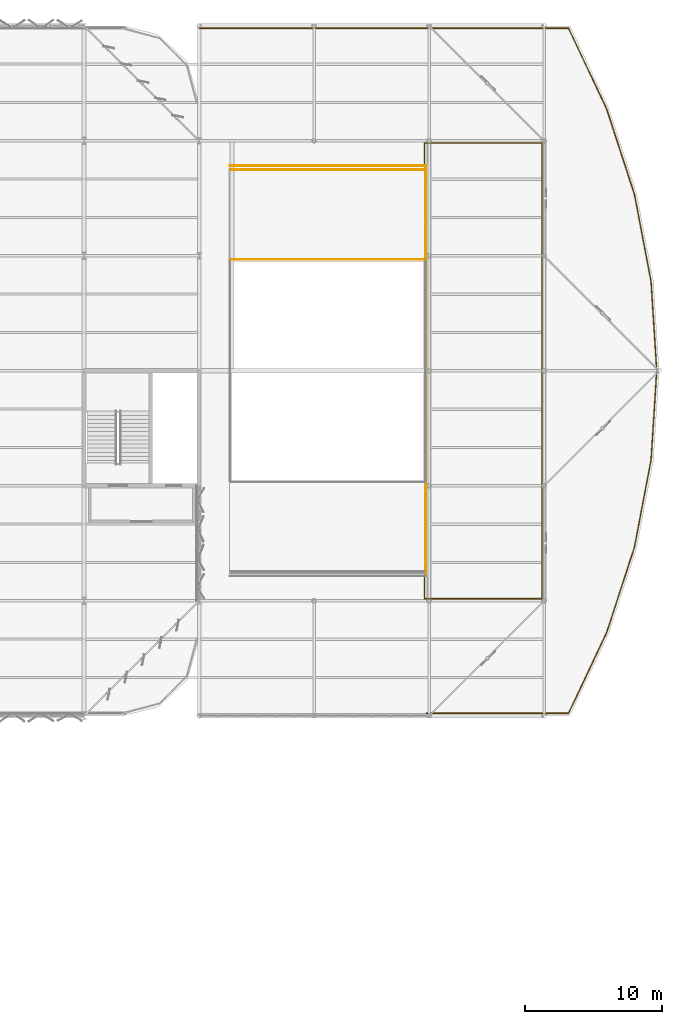
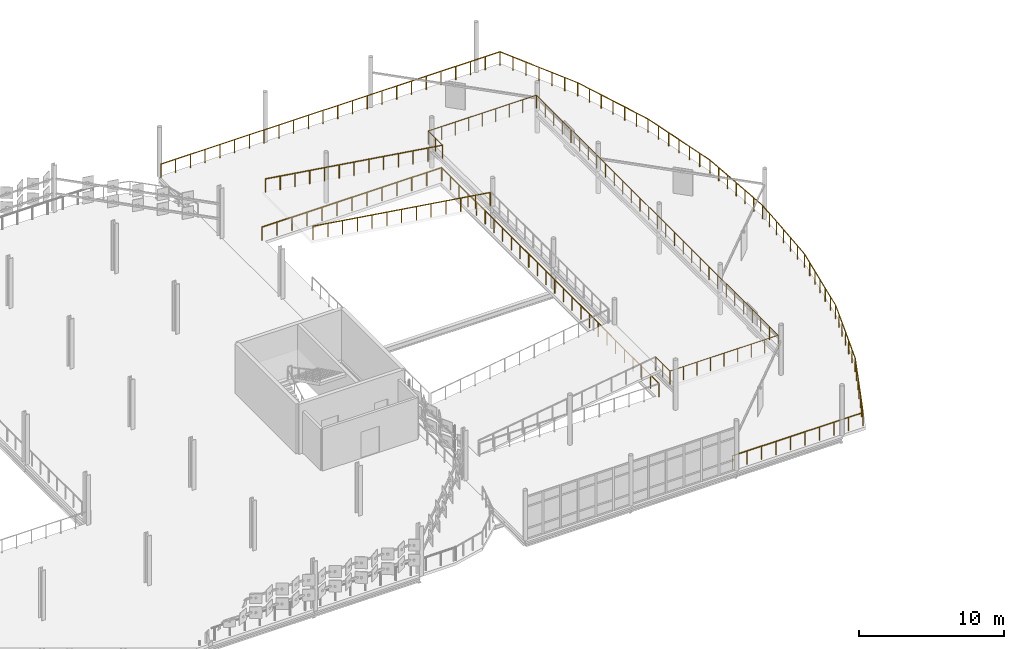
# One storey, part 68 of 69: 6 railings.
"""IFC4 building model written with IfcOpenShell, lengths in metres."""

from ifc_helpers import new_model, si_unit, direction, frame, origin, origin_2d, place, context, subcontext, project, spatial, circle, extrude, material, type_object, element, save


model = new_model("IFC4")

# Units and contexts
model_context = context("Model", 3, precision=1e-05, world=origin(), true_north=direction((0.0, 1.0)))
body_context = subcontext(model_context, "Body", "Model", "MODEL_VIEW")
ifc_project = project(units=[si_unit("LENGTHUNIT", "METRE"), si_unit("AREAUNIT", "SQUARE_METRE"), si_unit("VOLUMEUNIT", "CUBIC_METRE"), si_unit("PLANEANGLEUNIT", "RADIAN"), si_unit("MASSUNIT", "GRAM", prefix="KILO")], contexts=[model_context])

# Site, building, storey
site_placement = place(None, origin())
site = spatial("IfcSite", under=ifc_project, at=site_placement, CompositionType="ELEMENT")
building_placement = place(site_placement, origin())
building = spatial("IfcBuilding", under=site, at=building_placement, Name="Qalvenar Corner Mobility Hub", CompositionType="ELEMENT")
storey_placement = place(building_placement, frame((0.0, 0.0, 13.199951171875)))
storey = spatial("IfcBuildingStorey", under=building, at=storey_placement, Name="L03", CompositionType="ELEMENT", Elevation=13.199951171875)

# Railings
ifc_material = material(Name="Galvanised Steel Deck Edge Barrier", Category="steel")
railing_type = type_object("IfcRailingType", Name="RL-GUARD-115", PredefinedType="GUARDRAIL", material=ifc_material)
railing_1_placement = place(storey_placement, frame((159.25, 100.52001953125, 2.10009765625)))
element("IfcRailing", 1, at=railing_1_placement, inside=storey, type_object=railing_type, Name="Ramp Guardrail L03-L04-GR2", PredefinedType="GUARDRAIL", context=body_context, shape_type="SweptSolid", body=[
    extrude(circle(Radius=0.02392578125, at=origin_2d()), frame((0.0, 0.0, 1.1259765625), z_axis=(-0.98909182367, 0.0, 0.14730025237), x_axis=(0.0, -1.0, 0.0)), (0.0, 0.0, 1.0), 14.255615234375),
    extrude(circle(Radius=0.02099609375, at=origin_2d()), origin(), (0.0, 0.0, 1.0), 1.101806640625),
    extrude(circle(Radius=0.02099609375, at=origin_2d()), frame((-1.175048828125, 0.0, 0.175048828125)), (0.0, 0.0, 1.0), 1.101806640625),
    extrude(circle(Radius=0.02099609375, at=origin_2d()), frame((-2.35009765625, 0.0, 0.35009765625)), (0.0, 0.0, 1.0), 1.101806640625),
    extrude(circle(Radius=0.02099609375, at=origin_2d()), frame((-3.52490234375, 0.0, 0.52490234375)), (0.0, 0.0, 1.0), 1.101806640625),
    extrude(circle(Radius=0.02099609375, at=origin_2d()), frame((-4.699951171875, 0.0, 0.699951171875)), (0.0, 0.0, 1.0), 1.101806640625),
    extrude(circle(Radius=0.02099609375, at=origin_2d()), frame((-5.875, 0.0, 0.875)), (0.0, 0.0, 1.0), 1.101806640625),
    extrude(circle(Radius=0.02099609375, at=origin_2d()), frame((-7.050048828125, 0.0, 1.0498046875)), (0.0, 0.0, 1.0), 1.101806640625),
    extrude(circle(Radius=0.02099609375, at=origin_2d()), frame((-8.22509765625, 0.0, 1.224853515625)), (0.0, 0.0, 1.0), 1.101806640625),
    extrude(circle(Radius=0.02099609375, at=origin_2d()), frame((-9.400146484375, 0.0, 1.39990234375)), (0.0, 0.0, 1.0), 1.101806640625),
    extrude(circle(Radius=0.02099609375, at=origin_2d()), frame((-10.5751953125, 0.0, 1.574951171875)), (0.0, 0.0, 1.0), 1.101806640625),
    extrude(circle(Radius=0.02099609375, at=origin_2d()), frame((-11.75, 0.0, 1.75)), (0.0, 0.0, 1.0), 1.101806640625),
    extrude(circle(Radius=0.02099609375, at=origin_2d()), frame((-12.925048828125, 0.0, 1.9248046875)), (0.0, 0.0, 1.0), 1.101806640625),
    extrude(circle(Radius=0.02099609375, at=origin_2d()), frame((-14.10009765625, 0.0, 2.099853515625)), (0.0, 0.0, 1.0), 1.101806640625),
])
railing_2_placement = place(storey_placement, frame((159.25, 107.080078125, 2.10009765625)))
element("IfcRailing", 2, at=railing_2_placement, inside=storey, type_object=railing_type, Name="Ramp Guardrail L03-L04-GR4", PredefinedType="GUARDRAIL", context=body_context, shape_type="SweptSolid", body=[
    extrude(circle(Radius=0.02392578125, at=origin_2d()), frame((0.0, 0.0, 1.1259765625), z_axis=(-0.98909182367, 0.0, 0.14730025237), x_axis=(0.0, -1.0, 0.0)), (0.0, 0.0, 1.0), 14.255615234375),
    extrude(circle(Radius=0.02099609375, at=origin_2d()), origin(), (0.0, 0.0, 1.0), 1.101806640625),
    extrude(circle(Radius=0.02099609375, at=origin_2d()), frame((-1.175048828125, 0.0, 0.175048828125)), (0.0, 0.0, 1.0), 1.101806640625),
    extrude(circle(Radius=0.02099609375, at=origin_2d()), frame((-2.35009765625, 0.0, 0.35009765625)), (0.0, 0.0, 1.0), 1.101806640625),
    extrude(circle(Radius=0.02099609375, at=origin_2d()), frame((-3.52490234375, 0.0, 0.52490234375)), (0.0, 0.0, 1.0), 1.101806640625),
    extrude(circle(Radius=0.02099609375, at=origin_2d()), frame((-4.699951171875, 0.0, 0.699951171875)), (0.0, 0.0, 1.0), 1.101806640625),
    extrude(circle(Radius=0.02099609375, at=origin_2d()), frame((-5.875, 0.0, 0.875)), (0.0, 0.0, 1.0), 1.101806640625),
    extrude(circle(Radius=0.02099609375, at=origin_2d()), frame((-7.050048828125, 0.0, 1.0498046875)), (0.0, 0.0, 1.0), 1.101806640625),
    extrude(circle(Radius=0.02099609375, at=origin_2d()), frame((-8.22509765625, 0.0, 1.224853515625)), (0.0, 0.0, 1.0), 1.101806640625),
    extrude(circle(Radius=0.02099609375, at=origin_2d()), frame((-9.400146484375, 0.0, 1.39990234375)), (0.0, 0.0, 1.0), 1.101806640625),
    extrude(circle(Radius=0.02099609375, at=origin_2d()), frame((-10.5751953125, 0.0, 1.574951171875)), (0.0, 0.0, 1.0), 1.101806640625),
    extrude(circle(Radius=0.02099609375, at=origin_2d()), frame((-11.75, 0.0, 1.75)), (0.0, 0.0, 1.0), 1.101806640625),
    extrude(circle(Radius=0.02099609375, at=origin_2d()), frame((-12.925048828125, 0.0, 1.9248046875)), (0.0, 0.0, 1.0), 1.101806640625),
    extrude(circle(Radius=0.02099609375, at=origin_2d()), frame((-14.10009765625, 0.0, 2.099853515625)), (0.0, 0.0, 1.0), 1.101806640625),
])
railing_3_placement = place(storey_placement, frame((159.25, 77.719970703125, 2.10009765625)))
element("IfcRailing", 3, at=railing_3_placement, inside=storey, type_object=railing_type, Name="Ramp Guardrail L03-L04-GRL-OUT", PredefinedType="GUARDRAIL", context=body_context, shape_type="SweptSolid", body=[
    extrude(circle(Radius=0.02392578125, at=origin_2d()), frame((0.0, 0.0, 1.1259765625), z_axis=(0.0, -1.0, 0.0), x_axis=(1.0, 0.0, 0.0)), (0.0, 0.0, 1.0), 1.969970703125),
    extrude(circle(Radius=0.02392578125, at=origin_2d()), frame((0.0, -1.969970703125, 1.1259765625), z_axis=(1.0, 0.0, 0.0), x_axis=(0.0, 1.0, 0.0)), (0.0, 0.0, 1.0), 8.60009765625),
    extrude(circle(Radius=0.02392578125, at=origin_2d()), frame((8.60009765625, -1.969970703125, 1.1259765625), z_axis=(0.0, 1.0, 0.0), x_axis=(-1.0, 0.0, 0.0)), (0.0, 0.0, 1.0), 33.300048828125),
    extrude(circle(Radius=0.02392578125, at=origin_2d()), frame((8.60009765625, 31.330078125, 1.1259765625), z_axis=(-1.0, 0.0, 0.0), x_axis=(0.0, -1.0, 0.0)), (0.0, 0.0, 1.0), 8.60009765625),
    extrude(circle(Radius=0.02392578125, at=origin_2d()), frame((0.0, 31.330078125, 1.1259765625), z_axis=(0.0, -1.0, 0.0), x_axis=(1.0, 0.0, 0.0)), (0.0, 0.0, 1.0), 1.969970703125),
    extrude(circle(Radius=0.02099609375, at=origin_2d()), origin(), (0.0, 0.0, 1.0), 1.101806640625),
    extrude(circle(Radius=0.02099609375, at=origin_2d()), frame((0.0, -0.98486328125, 0.0)), (0.0, 0.0, 1.0), 1.101806640625),
    extrude(circle(Radius=0.02099609375, at=origin_2d()), frame((0.0, -1.969970703125, 0.0)), (0.0, 0.0, 1.0), 1.101806640625),
    extrude(circle(Radius=0.02099609375, at=origin_2d()), frame((1.074951171875, -1.969970703125, 0.0)), (0.0, 0.0, 1.0), 1.101806640625),
    extrude(circle(Radius=0.02099609375, at=origin_2d()), frame((2.14990234375, -1.969970703125, 0.0)), (0.0, 0.0, 1.0), 1.101806640625),
    extrude(circle(Radius=0.02099609375, at=origin_2d()), frame((3.22509765625, -1.969970703125, 0.0)), (0.0, 0.0, 1.0), 1.101806640625),
    extrude(circle(Radius=0.02099609375, at=origin_2d()), frame((4.300048828125, -1.969970703125, 0.0)), (0.0, 0.0, 1.0), 1.101806640625),
    extrude(circle(Radius=0.02099609375, at=origin_2d()), frame((5.375, -1.969970703125, 0.0)), (0.0, 0.0, 1.0), 1.101806640625),
    extrude(circle(Radius=0.02099609375, at=origin_2d()), frame((6.4501953125, -1.969970703125, 0.0)), (0.0, 0.0, 1.0), 1.101806640625),
    extrude(circle(Radius=0.02099609375, at=origin_2d()), frame((7.525146484375, -1.969970703125, 0.0)), (0.0, 0.0, 1.0), 1.101806640625),
    extrude(circle(Radius=0.02099609375, at=origin_2d()), frame((8.60009765625, -1.969970703125, 0.0)), (0.0, 0.0, 1.0), 1.101806640625),
    extrude(circle(Radius=0.02099609375, at=origin_2d()), frame((8.60009765625, -0.78076171875, 0.0)), (0.0, 0.0, 1.0), 1.101806640625),
    extrude(circle(Radius=0.02099609375, at=origin_2d()), frame((8.60009765625, 0.40869140625, 0.0)), (0.0, 0.0, 1.0), 1.101806640625),
    extrude(circle(Radius=0.02099609375, at=origin_2d()), frame((8.60009765625, 1.597900390625, 0.0)), (0.0, 0.0, 1.0), 1.101806640625),
    extrude(circle(Radius=0.02099609375, at=origin_2d()), frame((8.60009765625, 2.787109375, 0.0)), (0.0, 0.0, 1.0), 1.101806640625),
    extrude(circle(Radius=0.02099609375, at=origin_2d()), frame((8.60009765625, 3.9765625, 0.0)), (0.0, 0.0, 1.0), 1.101806640625),
    extrude(circle(Radius=0.02099609375, at=origin_2d()), frame((8.60009765625, 5.165771484375, 0.0)), (0.0, 0.0, 1.0), 1.101806640625),
    extrude(circle(Radius=0.02099609375, at=origin_2d()), frame((8.60009765625, 6.35498046875, 0.0)), (0.0, 0.0, 1.0), 1.101806640625),
    extrude(circle(Radius=0.02099609375, at=origin_2d()), frame((8.60009765625, 7.54443359375, 0.0)), (0.0, 0.0, 1.0), 1.101806640625),
    extrude(circle(Radius=0.02099609375, at=origin_2d()), frame((8.60009765625, 8.733642578125, 0.0)), (0.0, 0.0, 1.0), 1.101806640625),
    extrude(circle(Radius=0.02099609375, at=origin_2d()), frame((8.60009765625, 9.9228515625, 0.0)), (0.0, 0.0, 1.0), 1.101806640625),
    extrude(circle(Radius=0.02099609375, at=origin_2d()), frame((8.60009765625, 11.1123046875, 0.0)), (0.0, 0.0, 1.0), 1.101806640625),
    extrude(circle(Radius=0.02099609375, at=origin_2d()), frame((8.60009765625, 12.301513671875, 0.0)), (0.0, 0.0, 1.0), 1.101806640625),
    extrude(circle(Radius=0.02099609375, at=origin_2d()), frame((8.60009765625, 13.49072265625, 0.0)), (0.0, 0.0, 1.0), 1.101806640625),
    extrude(circle(Radius=0.02099609375, at=origin_2d()), frame((8.60009765625, 14.68017578125, 0.0)), (0.0, 0.0, 1.0), 1.101806640625),
    extrude(circle(Radius=0.02099609375, at=origin_2d()), frame((8.60009765625, 15.869384765625, 0.0)), (0.0, 0.0, 1.0), 1.101806640625),
    extrude(circle(Radius=0.02099609375, at=origin_2d()), frame((8.60009765625, 17.05859375, 0.0)), (0.0, 0.0, 1.0), 1.101806640625),
    extrude(circle(Radius=0.02099609375, at=origin_2d()), frame((8.60009765625, 18.247802734375, 0.0)), (0.0, 0.0, 1.0), 1.101806640625),
    extrude(circle(Radius=0.02099609375, at=origin_2d()), frame((8.60009765625, 19.437255859375, 0.0)), (0.0, 0.0, 1.0), 1.101806640625),
    extrude(circle(Radius=0.02099609375, at=origin_2d()), frame((8.60009765625, 20.62646484375, 0.0)), (0.0, 0.0, 1.0), 1.101806640625),
    extrude(circle(Radius=0.02099609375, at=origin_2d()), frame((8.60009765625, 21.815673828125, 0.0)), (0.0, 0.0, 1.0), 1.101806640625),
    extrude(circle(Radius=0.02099609375, at=origin_2d()), frame((8.60009765625, 23.005126953125, 0.0)), (0.0, 0.0, 1.0), 1.101806640625),
    extrude(circle(Radius=0.02099609375, at=origin_2d()), frame((8.60009765625, 24.1943359375, 0.0)), (0.0, 0.0, 1.0), 1.101806640625),
    extrude(circle(Radius=0.02099609375, at=origin_2d()), frame((8.60009765625, 25.383544921875, 0.0)), (0.0, 0.0, 1.0), 1.101806640625),
    extrude(circle(Radius=0.02099609375, at=origin_2d()), frame((8.60009765625, 26.572998046875, 0.0)), (0.0, 0.0, 1.0), 1.101806640625),
    extrude(circle(Radius=0.02099609375, at=origin_2d()), frame((8.60009765625, 27.76220703125, 0.0)), (0.0, 0.0, 1.0), 1.101806640625),
    extrude(circle(Radius=0.02099609375, at=origin_2d()), frame((8.60009765625, 28.951416015625, 0.0)), (0.0, 0.0, 1.0), 1.101806640625),
    extrude(circle(Radius=0.02099609375, at=origin_2d()), frame((8.60009765625, 30.140869140625, 0.0)), (0.0, 0.0, 1.0), 1.101806640625),
    extrude(circle(Radius=0.02099609375, at=origin_2d()), frame((8.60009765625, 31.330078125, 0.0)), (0.0, 0.0, 1.0), 1.101806640625),
    extrude(circle(Radius=0.02099609375, at=origin_2d()), frame((7.525146484375, 31.330078125, 0.0)), (0.0, 0.0, 1.0), 1.101806640625),
    extrude(circle(Radius=0.02099609375, at=origin_2d()), frame((6.4501953125, 31.330078125, 0.0)), (0.0, 0.0, 1.0), 1.101806640625),
    extrude(circle(Radius=0.02099609375, at=origin_2d()), frame((5.375, 31.330078125, 0.0)), (0.0, 0.0, 1.0), 1.101806640625),
    extrude(circle(Radius=0.02099609375, at=origin_2d()), frame((4.300048828125, 31.330078125, 0.0)), (0.0, 0.0, 1.0), 1.101806640625),
    extrude(circle(Radius=0.02099609375, at=origin_2d()), frame((3.22509765625, 31.330078125, 0.0)), (0.0, 0.0, 1.0), 1.101806640625),
    extrude(circle(Radius=0.02099609375, at=origin_2d()), frame((2.14990234375, 31.330078125, 0.0)), (0.0, 0.0, 1.0), 1.101806640625),
    extrude(circle(Radius=0.02099609375, at=origin_2d()), frame((1.074951171875, 31.330078125, 0.0)), (0.0, 0.0, 1.0), 1.101806640625),
    extrude(circle(Radius=0.02099609375, at=origin_2d()), frame((0.0, 31.330078125, 0.0)), (0.0, 0.0, 1.0), 1.101806640625),
    extrude(circle(Radius=0.02099609375, at=origin_2d()), frame((0.0, 30.34521484375, 0.0)), (0.0, 0.0, 1.0), 1.101806640625),
    extrude(circle(Radius=0.02099609375, at=origin_2d()), frame((0.0, 29.360107421875, 0.0)), (0.0, 0.0, 1.0), 1.101806640625),
])
railing_4_placement = place(storey_placement, frame((159.39990234375, 67.3798828125, 0.0)))
element("IfcRailing", 4, at=railing_4_placement, inside=storey, type_object=railing_type, Name="Rotunda Drum Perimeter Barrier L03", PredefinedType="GUARDRAIL", context=body_context, shape_type="SweptSolid", body=[
    extrude(circle(Radius=0.02392578125, at=origin_2d()), frame((0.0, 0.0, 1.1259765625), z_axis=(1.0, 0.0, 0.0), x_axis=(0.0, 1.0, 0.0)), (0.0, 0.0, 1.0), 10.379638671875),
    extrude(circle(Radius=0.02392578125, at=origin_2d()), frame((10.379638671875, 0.0, 1.1259765625), z_axis=(0.426753831434, 0.904367827466, 0.0), x_axis=(-0.904367827466, 0.426753831434, 0.0)), (0.0, 0.0, 1.0), 6.5234375),
    extrude(circle(Radius=0.02392578125, at=origin_2d()), frame((13.16357421875, 5.899658203125, 1.1259765625), z_axis=(0.309730839995, 0.950824277538, 0.0), x_axis=(-0.950824277538, 0.309730839995, 0.0)), (0.0, 0.0, 1.0), 6.5234375),
    extrude(circle(Radius=0.02392578125, at=origin_2d()), frame((15.18408203125, 12.102294921875, 1.1259765625), z_axis=(0.187839523494, 0.982199731935, 0.0), x_axis=(-0.982199731935, 0.187839523494, 0.0)), (0.0, 0.0, 1.0), 6.5234375),
    extrude(circle(Radius=0.02392578125, at=origin_2d()), frame((16.409423828125, 18.509521484375, 1.1259765625), z_axis=(0.062949118857, 0.998016737553, 0.0), x_axis=(-0.998016737553, 0.062949118857, 0.0)), (0.0, 0.0, 1.0), 6.5234375),
    extrude(circle(Radius=0.02392578125, at=origin_2d()), frame((16.820068359375, 25.02001953125, 1.1259765625), z_axis=(-0.062949118857, 0.998016737553, 0.0), x_axis=(-0.998016737553, -0.062949118857, 0.0)), (0.0, 0.0, 1.0), 6.5234375),
    extrude(circle(Radius=0.02392578125, at=origin_2d()), frame((16.409423828125, 31.530517578125, 1.1259765625), z_axis=(-0.187832618856, 0.982201052379, 0.0), x_axis=(-0.982201052379, -0.187832618856, 0.0)), (0.0, 0.0, 1.0), 6.523681640625),
    extrude(circle(Radius=0.02392578125, at=origin_2d()), frame((15.18408203125, 37.93798828125, 1.1259765625), z_axis=(-0.309730839995, 0.950824277538, 0.0), x_axis=(-0.950824277538, -0.309730839995, 0.0)), (0.0, 0.0, 1.0), 6.5234375),
    extrude(circle(Radius=0.02392578125, at=origin_2d()), frame((13.16357421875, 44.140625, 1.1259765625), z_axis=(-0.426768275647, 0.904361011378, 0.0), x_axis=(-0.904361011378, -0.426768275647, 0.0)), (0.0, 0.0, 1.0), 6.523193359375),
    extrude(circle(Radius=0.02392578125, at=origin_2d()), frame((10.379638671875, 50.0400390625, 1.1259765625), z_axis=(-1.0, 0.0, 0.0), x_axis=(0.0, -1.0, 0.0)), (0.0, 0.0, 1.0), 26.9794921875),
    extrude(circle(Radius=0.02099609375, at=origin_2d()), origin(), (0.0, 0.0, 1.0), 1.101806640625),
    extrude(circle(Radius=0.02099609375, at=origin_2d()), frame((1.1533203125, 0.0, 0.0)), (0.0, 0.0, 1.0), 1.101806640625),
    extrude(circle(Radius=0.02099609375, at=origin_2d()), frame((2.306640625, 0.0, 0.0)), (0.0, 0.0, 1.0), 1.101806640625),
    extrude(circle(Radius=0.02099609375, at=origin_2d()), frame((3.4599609375, 0.0, 0.0)), (0.0, 0.0, 1.0), 1.101806640625),
    extrude(circle(Radius=0.02099609375, at=origin_2d()), frame((4.61328125, 0.0, 0.0)), (0.0, 0.0, 1.0), 1.101806640625),
    extrude(circle(Radius=0.02099609375, at=origin_2d()), frame((5.766357421875, 0.0, 0.0)), (0.0, 0.0, 1.0), 1.101806640625),
    extrude(circle(Radius=0.02099609375, at=origin_2d()), frame((6.919677734375, 0.0, 0.0)), (0.0, 0.0, 1.0), 1.101806640625),
    extrude(circle(Radius=0.02099609375, at=origin_2d()), frame((8.072998046875, 0.0, 0.0)), (0.0, 0.0, 1.0), 1.101806640625),
    extrude(circle(Radius=0.02099609375, at=origin_2d()), frame((9.226318359375, 0.0, 0.0)), (0.0, 0.0, 1.0), 1.101806640625),
    extrude(circle(Radius=0.02099609375, at=origin_2d()), frame((10.379638671875, 0.0, 0.0)), (0.0, 0.0, 1.0), 1.101806640625),
    extrude(circle(Radius=0.02099609375, at=origin_2d()), frame((10.84375, 0.9833984375, 0.0)), (0.0, 0.0, 1.0), 1.101806640625),
    extrude(circle(Radius=0.02099609375, at=origin_2d()), frame((11.3076171875, 1.966552734375, 0.0)), (0.0, 0.0, 1.0), 1.101806640625),
    extrude(circle(Radius=0.02099609375, at=origin_2d()), frame((11.771484375, 2.94970703125, 0.0)), (0.0, 0.0, 1.0), 1.101806640625),
    extrude(circle(Radius=0.02099609375, at=origin_2d()), frame((12.235595703125, 3.93310546875, 0.0)), (0.0, 0.0, 1.0), 1.101806640625),
    extrude(circle(Radius=0.02099609375, at=origin_2d()), frame((12.69970703125, 4.91650390625, 0.0)), (0.0, 0.0, 1.0), 1.101806640625),
    extrude(circle(Radius=0.02099609375, at=origin_2d()), frame((13.16357421875, 5.899658203125, 0.0)), (0.0, 0.0, 1.0), 1.101806640625),
    extrude(circle(Radius=0.02099609375, at=origin_2d()), frame((13.500244140625, 6.933349609375, 0.0)), (0.0, 0.0, 1.0), 1.101806640625),
    extrude(circle(Radius=0.02099609375, at=origin_2d()), frame((13.837158203125, 7.96728515625, 0.0)), (0.0, 0.0, 1.0), 1.101806640625),
    extrude(circle(Radius=0.02099609375, at=origin_2d()), frame((14.173828125, 9.0009765625, 0.0)), (0.0, 0.0, 1.0), 1.101806640625),
    extrude(circle(Radius=0.02099609375, at=origin_2d()), frame((14.510498046875, 10.03466796875, 0.0)), (0.0, 0.0, 1.0), 1.101806640625),
    extrude(circle(Radius=0.02099609375, at=origin_2d()), frame((14.847412109375, 11.068603515625, 0.0)), (0.0, 0.0, 1.0), 1.101806640625),
    extrude(circle(Radius=0.02099609375, at=origin_2d()), frame((15.18408203125, 12.102294921875, 0.0)), (0.0, 0.0, 1.0), 1.101806640625),
    extrude(circle(Radius=0.02099609375, at=origin_2d()), frame((15.38818359375, 13.170166015625, 0.0)), (0.0, 0.0, 1.0), 1.101806640625),
    extrude(circle(Radius=0.02099609375, at=origin_2d()), frame((15.592529296875, 14.238037109375, 0.0)), (0.0, 0.0, 1.0), 1.101806640625),
    extrude(circle(Radius=0.02099609375, at=origin_2d()), frame((15.796875, 15.305908203125, 0.0)), (0.0, 0.0, 1.0), 1.101806640625),
    extrude(circle(Radius=0.02099609375, at=origin_2d()), frame((16.0009765625, 16.373779296875, 0.0)), (0.0, 0.0, 1.0), 1.101806640625),
    extrude(circle(Radius=0.02099609375, at=origin_2d()), frame((16.205078125, 17.441650390625, 0.0)), (0.0, 0.0, 1.0), 1.101806640625),
    extrude(circle(Radius=0.02099609375, at=origin_2d()), frame((16.409423828125, 18.509521484375, 0.0)), (0.0, 0.0, 1.0), 1.101806640625),
    extrude(circle(Radius=0.02099609375, at=origin_2d()), frame((16.477783203125, 19.5947265625, 0.0)), (0.0, 0.0, 1.0), 1.101806640625),
    extrude(circle(Radius=0.02099609375, at=origin_2d()), frame((16.54638671875, 20.6796875, 0.0)), (0.0, 0.0, 1.0), 1.101806640625),
    extrude(circle(Radius=0.02099609375, at=origin_2d()), frame((16.61474609375, 21.7646484375, 0.0)), (0.0, 0.0, 1.0), 1.101806640625),
    extrude(circle(Radius=0.02099609375, at=origin_2d()), frame((16.68310546875, 22.849853515625, 0.0)), (0.0, 0.0, 1.0), 1.101806640625),
    extrude(circle(Radius=0.02099609375, at=origin_2d()), frame((16.751708984375, 23.93505859375, 0.0)), (0.0, 0.0, 1.0), 1.101806640625),
    extrude(circle(Radius=0.02099609375, at=origin_2d()), frame((16.820068359375, 25.02001953125, 0.0)), (0.0, 0.0, 1.0), 1.101806640625),
    extrude(circle(Radius=0.02099609375, at=origin_2d()), frame((16.751708984375, 26.10498046875, 0.0)), (0.0, 0.0, 1.0), 1.101806640625),
    extrude(circle(Radius=0.02099609375, at=origin_2d()), frame((16.68310546875, 27.190185546875, 0.0)), (0.0, 0.0, 1.0), 1.101806640625),
    extrude(circle(Radius=0.02099609375, at=origin_2d()), frame((16.61474609375, 28.275390625, 0.0)), (0.0, 0.0, 1.0), 1.101806640625),
    extrude(circle(Radius=0.02099609375, at=origin_2d()), frame((16.54638671875, 29.3603515625, 0.0)), (0.0, 0.0, 1.0), 1.101806640625),
    extrude(circle(Radius=0.02099609375, at=origin_2d()), frame((16.477783203125, 30.4453125, 0.0)), (0.0, 0.0, 1.0), 1.101806640625),
    extrude(circle(Radius=0.02099609375, at=origin_2d()), frame((16.409423828125, 31.530517578125, 0.0)), (0.0, 0.0, 1.0), 1.101806640625),
    extrude(circle(Radius=0.02099609375, at=origin_2d()), frame((16.205078125, 32.598388671875, 0.0)), (0.0, 0.0, 1.0), 1.101806640625),
    extrude(circle(Radius=0.02099609375, at=origin_2d()), frame((16.0009765625, 33.666259765625, 0.0)), (0.0, 0.0, 1.0), 1.101806640625),
    extrude(circle(Radius=0.02099609375, at=origin_2d()), frame((15.796875, 34.734375, 0.0)), (0.0, 0.0, 1.0), 1.101806640625),
    extrude(circle(Radius=0.02099609375, at=origin_2d()), frame((15.592529296875, 35.80224609375, 0.0)), (0.0, 0.0, 1.0), 1.101806640625),
    extrude(circle(Radius=0.02099609375, at=origin_2d()), frame((15.38818359375, 36.8701171875, 0.0)), (0.0, 0.0, 1.0), 1.101806640625),
    extrude(circle(Radius=0.02099609375, at=origin_2d()), frame((15.18408203125, 37.93798828125, 0.0)), (0.0, 0.0, 1.0), 1.101806640625),
    extrude(circle(Radius=0.02099609375, at=origin_2d()), frame((14.847412109375, 38.9716796875, 0.0)), (0.0, 0.0, 1.0), 1.101806640625),
    extrude(circle(Radius=0.02099609375, at=origin_2d()), frame((14.510498046875, 40.005615234375, 0.0)), (0.0, 0.0, 1.0), 1.101806640625),
    extrude(circle(Radius=0.02099609375, at=origin_2d()), frame((14.173828125, 41.039306640625, 0.0)), (0.0, 0.0, 1.0), 1.101806640625),
    extrude(circle(Radius=0.02099609375, at=origin_2d()), frame((13.837158203125, 42.072998046875, 0.0)), (0.0, 0.0, 1.0), 1.101806640625),
    extrude(circle(Radius=0.02099609375, at=origin_2d()), frame((13.500244140625, 43.10693359375, 0.0)), (0.0, 0.0, 1.0), 1.101806640625),
    extrude(circle(Radius=0.02099609375, at=origin_2d()), frame((13.16357421875, 44.140625, 0.0)), (0.0, 0.0, 1.0), 1.101806640625),
    extrude(circle(Radius=0.02099609375, at=origin_2d()), frame((12.69970703125, 45.123779296875, 0.0)), (0.0, 0.0, 1.0), 1.101806640625),
    extrude(circle(Radius=0.02099609375, at=origin_2d()), frame((12.235595703125, 46.107177734375, 0.0)), (0.0, 0.0, 1.0), 1.101806640625),
    extrude(circle(Radius=0.02099609375, at=origin_2d()), frame((11.771484375, 47.09033203125, 0.0)), (0.0, 0.0, 1.0), 1.101806640625),
    extrude(circle(Radius=0.02099609375, at=origin_2d()), frame((11.3076171875, 48.073486328125, 0.0)), (0.0, 0.0, 1.0), 1.101806640625),
    extrude(circle(Radius=0.02099609375, at=origin_2d()), frame((10.84375, 49.056884765625, 0.0)), (0.0, 0.0, 1.0), 1.101806640625),
    extrude(circle(Radius=0.02099609375, at=origin_2d()), frame((10.379638671875, 50.0400390625, 0.0)), (0.0, 0.0, 1.0), 1.101806640625),
    extrude(circle(Radius=0.02099609375, at=origin_2d()), frame((9.20654296875, 50.0400390625, 0.0)), (0.0, 0.0, 1.0), 1.101806640625),
    extrude(circle(Radius=0.02099609375, at=origin_2d()), frame((8.03369140625, 50.0400390625, 0.0)), (0.0, 0.0, 1.0), 1.101806640625),
    extrude(circle(Radius=0.02099609375, at=origin_2d()), frame((6.860595703125, 50.0400390625, 0.0)), (0.0, 0.0, 1.0), 1.101806640625),
    extrude(circle(Radius=0.02099609375, at=origin_2d()), frame((5.6875, 50.0400390625, 0.0)), (0.0, 0.0, 1.0), 1.101806640625),
    extrude(circle(Radius=0.02099609375, at=origin_2d()), frame((4.5146484375, 50.0400390625, 0.0)), (0.0, 0.0, 1.0), 1.101806640625),
    extrude(circle(Radius=0.02099609375, at=origin_2d()), frame((3.341552734375, 50.0400390625, 0.0)), (0.0, 0.0, 1.0), 1.101806640625),
    extrude(circle(Radius=0.02099609375, at=origin_2d()), frame((2.16845703125, 50.0400390625, 0.0)), (0.0, 0.0, 1.0), 1.101806640625),
    extrude(circle(Radius=0.02099609375, at=origin_2d()), frame((0.995361328125, 50.0400390625, 0.0)), (0.0, 0.0, 1.0), 1.101806640625),
    extrude(circle(Radius=0.02099609375, at=origin_2d()), frame((-0.177490234375, 50.0400390625, 0.0)), (0.0, 0.0, 1.0), 1.101806640625),
    extrude(circle(Radius=0.02099609375, at=origin_2d()), frame((-1.3505859375, 50.0400390625, 0.0)), (0.0, 0.0, 1.0), 1.101806640625),
    extrude(circle(Radius=0.02099609375, at=origin_2d()), frame((-2.523681640625, 50.0400390625, 0.0)), (0.0, 0.0, 1.0), 1.101806640625),
    extrude(circle(Radius=0.02099609375, at=origin_2d()), frame((-3.696533203125, 50.0400390625, 0.0)), (0.0, 0.0, 1.0), 1.101806640625),
    extrude(circle(Radius=0.02099609375, at=origin_2d()), frame((-4.86962890625, 50.0400390625, 0.0)), (0.0, 0.0, 1.0), 1.101806640625),
    extrude(circle(Radius=0.02099609375, at=origin_2d()), frame((-6.042724609375, 50.0400390625, 0.0)), (0.0, 0.0, 1.0), 1.101806640625),
    extrude(circle(Radius=0.02099609375, at=origin_2d()), frame((-7.215576171875, 50.0400390625, 0.0)), (0.0, 0.0, 1.0), 1.101806640625),
    extrude(circle(Radius=0.02099609375, at=origin_2d()), frame((-8.388671875, 50.0400390625, 0.0)), (0.0, 0.0, 1.0), 1.101806640625),
    extrude(circle(Radius=0.02099609375, at=origin_2d()), frame((-9.561767578125, 50.0400390625, 0.0)), (0.0, 0.0, 1.0), 1.101806640625),
    extrude(circle(Radius=0.02099609375, at=origin_2d()), frame((-10.73486328125, 50.0400390625, 0.0)), (0.0, 0.0, 1.0), 1.101806640625),
    extrude(circle(Radius=0.02099609375, at=origin_2d()), frame((-11.90771484375, 50.0400390625, 0.0)), (0.0, 0.0, 1.0), 1.101806640625),
    extrude(circle(Radius=0.02099609375, at=origin_2d()), frame((-13.080810546875, 50.0400390625, 0.0)), (0.0, 0.0, 1.0), 1.101806640625),
    extrude(circle(Radius=0.02099609375, at=origin_2d()), frame((-14.25390625, 50.0400390625, 0.0)), (0.0, 0.0, 1.0), 1.101806640625),
    extrude(circle(Radius=0.02099609375, at=origin_2d()), frame((-15.4267578125, 50.0400390625, 0.0)), (0.0, 0.0, 1.0), 1.101806640625),
    extrude(circle(Radius=0.02099609375, at=origin_2d()), frame((-16.599853515625, 50.0400390625, 0.0)), (0.0, 0.0, 1.0), 1.101806640625),
])
railing_5_placement = place(storey_placement, frame((145.050048828125, 107.3798828125, 0.0)))
element("IfcRailing", 5, at=railing_5_placement, inside=storey, type_object=railing_type, Name="Ramp Well Guardrail North L03", PredefinedType="GUARDRAIL", context=body_context, shape_type="SweptSolid", body=[
    extrude(circle(Radius=0.02392578125, at=origin_2d()), frame((0.0, 0.0, 1.1259765625), z_axis=(1.0, 0.0, 0.0), x_axis=(0.0, 1.0, 0.0)), (0.0, 0.0, 1.0), 14.300048828125),
    extrude(circle(Radius=0.02099609375, at=origin_2d()), origin(), (0.0, 0.0, 1.0), 1.101806640625),
    extrude(circle(Radius=0.02099609375, at=origin_2d()), frame((1.191650390625, 0.0, 0.0)), (0.0, 0.0, 1.0), 1.101806640625),
    extrude(circle(Radius=0.02099609375, at=origin_2d()), frame((2.38330078125, 0.0, 0.0)), (0.0, 0.0, 1.0), 1.101806640625),
    extrude(circle(Radius=0.02099609375, at=origin_2d()), frame((3.574951171875, 0.0, 0.0)), (0.0, 0.0, 1.0), 1.101806640625),
    extrude(circle(Radius=0.02099609375, at=origin_2d()), frame((4.7666015625, 0.0, 0.0)), (0.0, 0.0, 1.0), 1.101806640625),
    extrude(circle(Radius=0.02099609375, at=origin_2d()), frame((5.958251953125, 0.0, 0.0)), (0.0, 0.0, 1.0), 1.101806640625),
    extrude(circle(Radius=0.02099609375, at=origin_2d()), frame((7.14990234375, 0.0, 0.0)), (0.0, 0.0, 1.0), 1.101806640625),
    extrude(circle(Radius=0.02099609375, at=origin_2d()), frame((8.341796875, 0.0, 0.0)), (0.0, 0.0, 1.0), 1.101806640625),
    extrude(circle(Radius=0.02099609375, at=origin_2d()), frame((9.533447265625, 0.0, 0.0)), (0.0, 0.0, 1.0), 1.101806640625),
    extrude(circle(Radius=0.02099609375, at=origin_2d()), frame((10.72509765625, 0.0, 0.0)), (0.0, 0.0, 1.0), 1.101806640625),
    extrude(circle(Radius=0.02099609375, at=origin_2d()), frame((11.916748046875, 0.0, 0.0)), (0.0, 0.0, 1.0), 1.101806640625),
    extrude(circle(Radius=0.02099609375, at=origin_2d()), frame((13.1083984375, 0.0, 0.0)), (0.0, 0.0, 1.0), 1.101806640625),
    extrude(circle(Radius=0.02099609375, at=origin_2d()), frame((14.300048828125, 0.0, 0.0)), (0.0, 0.0, 1.0), 1.101806640625),
])
railing_6_placement = place(storey_placement, frame((159.35009765625, 77.419921875, 0.0)))
element("IfcRailing", 6, at=railing_6_placement, inside=storey, type_object=railing_type, Name="Ramp Well Guardrail East Edge L03", PredefinedType="GUARDRAIL", context=body_context, shape_type="SweptSolid", body=[
    extrude(circle(Radius=0.02392578125, at=origin_2d()), frame((0.0, 0.0, 1.1259765625), z_axis=(0.0, 1.0, 0.0), x_axis=(-1.0, 0.0, 0.0)), (0.0, 0.0, 1.0), 29.9599609375),
    extrude(circle(Radius=0.02099609375, at=origin_2d()), origin(), (0.0, 0.0, 1.0), 1.101806640625),
    extrude(circle(Radius=0.02099609375, at=origin_2d()), frame((0.0, 1.198486328125, 0.0)), (0.0, 0.0, 1.0), 1.101806640625),
    extrude(circle(Radius=0.02099609375, at=origin_2d()), frame((0.0, 2.396728515625, 0.0)), (0.0, 0.0, 1.0), 1.101806640625),
    extrude(circle(Radius=0.02099609375, at=origin_2d()), frame((0.0, 3.59521484375, 0.0)), (0.0, 0.0, 1.0), 1.101806640625),
    extrude(circle(Radius=0.02099609375, at=origin_2d()), frame((0.0, 4.793701171875, 0.0)), (0.0, 0.0, 1.0), 1.101806640625),
    extrude(circle(Radius=0.02099609375, at=origin_2d()), frame((0.0, 5.991943359375, 0.0)), (0.0, 0.0, 1.0), 1.101806640625),
    extrude(circle(Radius=0.02099609375, at=origin_2d()), frame((0.0, 7.1904296875, 0.0)), (0.0, 0.0, 1.0), 1.101806640625),
    extrude(circle(Radius=0.02099609375, at=origin_2d()), frame((0.0, 8.388671875, 0.0)), (0.0, 0.0, 1.0), 1.101806640625),
    extrude(circle(Radius=0.02099609375, at=origin_2d()), frame((0.0, 9.587158203125, 0.0)), (0.0, 0.0, 1.0), 1.101806640625),
    extrude(circle(Radius=0.02099609375, at=origin_2d()), frame((0.0, 10.78564453125, 0.0)), (0.0, 0.0, 1.0), 1.101806640625),
    extrude(circle(Radius=0.02099609375, at=origin_2d()), frame((0.0, 11.98388671875, 0.0)), (0.0, 0.0, 1.0), 1.101806640625),
    extrude(circle(Radius=0.02099609375, at=origin_2d()), frame((0.0, 13.182373046875, 0.0)), (0.0, 0.0, 1.0), 1.101806640625),
    extrude(circle(Radius=0.02099609375, at=origin_2d()), frame((0.0, 14.380859375, 0.0)), (0.0, 0.0, 1.0), 1.101806640625),
    extrude(circle(Radius=0.02099609375, at=origin_2d()), frame((0.0, 15.5791015625, 0.0)), (0.0, 0.0, 1.0), 1.101806640625),
    extrude(circle(Radius=0.02099609375, at=origin_2d()), frame((0.0, 16.777587890625, 0.0)), (0.0, 0.0, 1.0), 1.101806640625),
    extrude(circle(Radius=0.02099609375, at=origin_2d()), frame((0.0, 17.97607421875, 0.0)), (0.0, 0.0, 1.0), 1.101806640625),
    extrude(circle(Radius=0.02099609375, at=origin_2d()), frame((0.0, 19.17431640625, 0.0)), (0.0, 0.0, 1.0), 1.101806640625),
    extrude(circle(Radius=0.02099609375, at=origin_2d()), frame((0.0, 20.372802734375, 0.0)), (0.0, 0.0, 1.0), 1.101806640625),
    extrude(circle(Radius=0.02099609375, at=origin_2d()), frame((0.0, 21.5712890625, 0.0)), (0.0, 0.0, 1.0), 1.101806640625),
    extrude(circle(Radius=0.02099609375, at=origin_2d()), frame((0.0, 22.76953125, 0.0)), (0.0, 0.0, 1.0), 1.101806640625),
    extrude(circle(Radius=0.02099609375, at=origin_2d()), frame((0.0, 23.968017578125, 0.0)), (0.0, 0.0, 1.0), 1.101806640625),
    extrude(circle(Radius=0.02099609375, at=origin_2d()), frame((0.0, 25.166259765625, 0.0)), (0.0, 0.0, 1.0), 1.101806640625),
    extrude(circle(Radius=0.02099609375, at=origin_2d()), frame((0.0, 26.36474609375, 0.0)), (0.0, 0.0, 1.0), 1.101806640625),
    extrude(circle(Radius=0.02099609375, at=origin_2d()), frame((0.0, 27.563232421875, 0.0)), (0.0, 0.0, 1.0), 1.101806640625),
    extrude(circle(Radius=0.02099609375, at=origin_2d()), frame((0.0, 28.761474609375, 0.0)), (0.0, 0.0, 1.0), 1.101806640625),
    extrude(circle(Radius=0.02099609375, at=origin_2d()), frame((0.0, 29.9599609375, 0.0)), (0.0, 0.0, 1.0), 1.101806640625),
])

save(model, "model.ifc")
